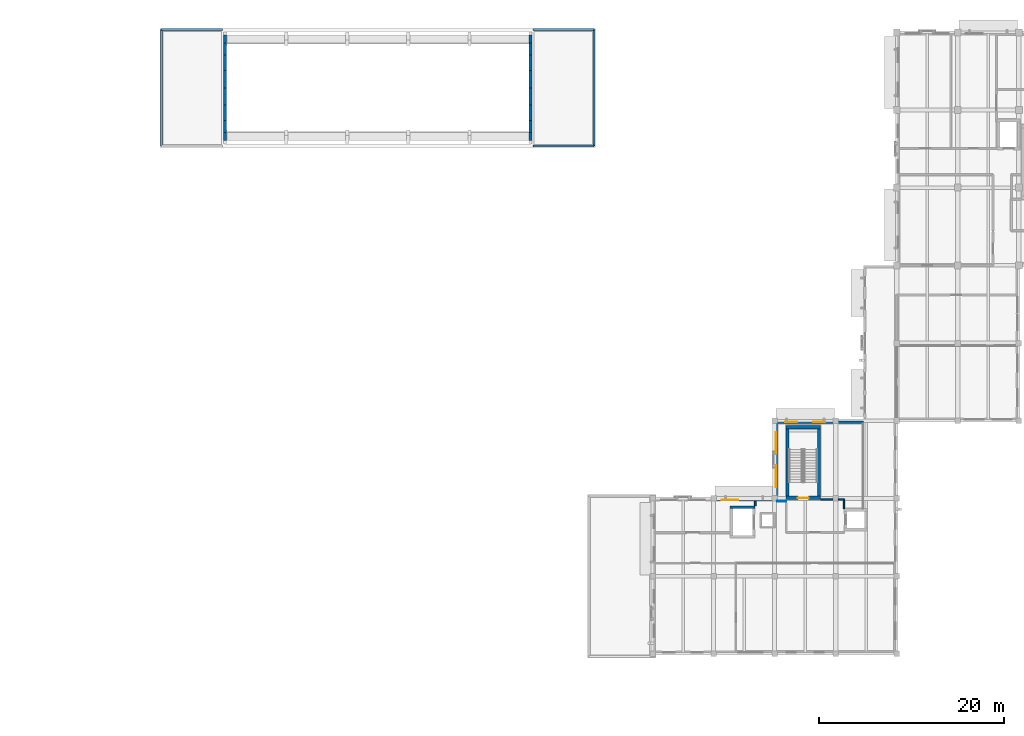
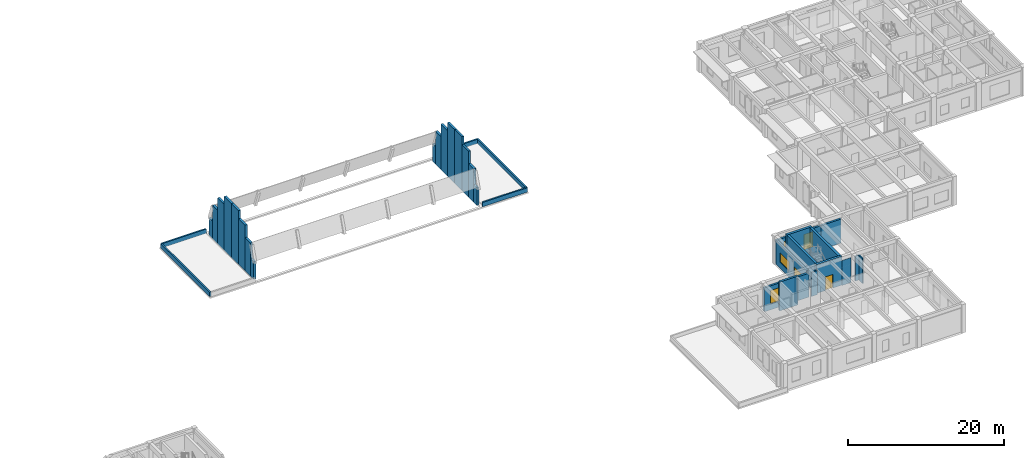
# One storey, part 10 of 25: 35 walls, 5 windows, 1 door, 6 openings.
"""IFC4 building model written with IfcOpenShell, lengths in metres."""

from ifc_helpers import new_model, si_unit, direction, frame, frame_2d, origin, place, context, subcontext, project, spatial, rectangle, extrude, material, layer, layer_set, type_object, element, fill, save


model = new_model("IFC4")

# Units and contexts
model_context = context("Model", 3, precision=1e-05, world=origin(), true_north=direction((0.0, 1.0)))
body_context = subcontext(model_context, "Body", "Model", "MODEL_VIEW")
ifc_project = project(units=[si_unit("LENGTHUNIT", "METRE"), si_unit("AREAUNIT", "SQUARE_METRE"), si_unit("VOLUMEUNIT", "CUBIC_METRE"), si_unit("PLANEANGLEUNIT", "RADIAN"), si_unit("MASSUNIT", "GRAM", prefix="KILO")], contexts=[model_context])

# Site, building, storey
site_placement = place(None, origin())
site = spatial("IfcSite", under=ifc_project, at=site_placement, CompositionType="ELEMENT")
building_placement = place(site_placement, origin())
building = spatial("IfcBuilding", under=site, at=building_placement, Name="Kolvaren Faculty of Natural Sciences", CompositionType="ELEMENT")
storey_placement = place(building_placement, frame((0.0, 0.0, 19.5)))
storey = spatial("IfcBuildingStorey", under=building, at=storey_placement, Name="L04", CompositionType="ELEMENT", Elevation=19.5)

# Wall, opening, door
ifc_material_1 = material(Name="Concrete C40/50", Category="concrete")
ifc_layer_1 = layer(ifc_material_1, 0.35009765625)
ifc_layer_set_1 = layer_set([ifc_layer_1], Name="Concrete C40/50")
wall_type_1 = type_object("IfcWallType", Name="CoreShearWall_350", PredefinedType="SHEAR", material=ifc_layer_set_1)
wall_1_placement = place(storey_placement, frame((126.824951171875, 33.875, 0.0), z_axis=(0.0, 0.0, 1.0), x_axis=(1.0, 0.0, 0.0)))
wall_1 = element("IfcWall", 1, at=wall_1_placement, inside=storey, type_object=wall_type_1, Name="L04 CORE-C3 stair shear wall S", PredefinedType="SHEAR", context=body_context, shape_type="SweptSolid", body=[
    extrude(rectangle(XDim=3.75, YDim=0.35009765625, at=frame_2d((1.875, 0.0))), origin(), (0.0, 0.0, 1.0), 4.5),
])
opening_1_placement = place(wall_1_placement, frame((1.300048828125, 0.0, 0.0)))
opening_1 = element("IfcOpeningElement", 2, at=opening_1_placement, cuts=wall_1, Name="Opening FD90", PredefinedType="OPENING", context=body_context, shape_type="SweptSolid", body=[
    extrude(rectangle(XDim=1.14990234375, YDim=2.14990234375, at=frame_2d((0.574951171875, 1.074951171875))), frame((0.0, 0.18505859375, 0.0), z_axis=(0.0, -1.0, 0.0), x_axis=(1.0, 0.0, 0.0)), (0.0, 0.0, 1.0), 0.3701171875),
])
ifc_material_2 = material(Name="Fire-rated solid-core hardwood door leaf in steel frame", Category="steel")
door_type = type_object("IfcDoorType", Name="StairCoreFireDoor_1150x2150", OperationType="NOTDEFINED", PredefinedType="DOOR", material=ifc_material_2)
door_placement = place(opening_1_placement, origin())
door = element("IfcDoor", 3, at=door_placement, inside=storey, type_object=door_type, Name="D-ST-ST-3-L04", OperationType="SINGLE_SWING_RIGHT", OverallHeight=2.14990234375, OverallWidth=1.14990234375, PredefinedType="DOOR", context=body_context, shape_type="SweptSolid", body=[
    extrude(rectangle(XDim=1.14990234375, YDim=2.14990234375, at=frame_2d((0.574951171875, 1.074951171875))), frame((0.0, 0.02490234375, 0.0), z_axis=(0.0, -1.0, 0.0), x_axis=(1.0, 0.0, 0.0)), (0.0, 0.0, 1.0), 0.050048828125),
])
fill(opening_1, door)

# Walls
wall_2_placement = place(storey_placement, frame((126.824951171875, 41.5, 0.0), z_axis=(0.0, 0.0, 1.0), x_axis=(1.0, 0.0, 0.0)))
element("IfcWall", 4, at=wall_2_placement, inside=storey, type_object=wall_type_1, Name="L04 CORE-C3 stair shear wall N", PredefinedType="SHEAR", context=body_context, shape_type="SweptSolid", body=[
    extrude(rectangle(XDim=3.75, YDim=0.35009765625, at=frame_2d((1.875, 0.0))), origin(), (0.0, 0.0, 1.0), 4.5),
])
for number, where, z_axis, x_axis, name in (
    (5, (127.0, 34.050048828125, 0.0), (0.0, 0.0, 1.0), (0.0, 1.0, 0.0), "L04 CORE-C3 stair shear wall W"),
    (6, (130.39990234375, 34.050048828125, 0.0), (0.0, 0.0, 1.0), (0.0, 1.0, 0.0), "L04 CORE-C3 stair shear wall E"),
):
    element("IfcWall", number, at=place(storey_placement, frame(where, z_axis=z_axis, x_axis=x_axis)), inside=storey, type_object=wall_type_1, Name=name, PredefinedType="SHEAR", context=body_context, shape_type="SweptSolid", body=[
        extrude(rectangle(XDim=7.27490234375, YDim=0.35009765625, at=frame_2d((3.637451171875, 0.0))), origin(), (0.0, 0.0, 1.0), 4.5),
    ])
ifc_material_3 = material(Name="Acoustic mineral-wool insulated gypsum partition")
ifc_layer_2 = layer(ifc_material_3, 0.094970703125)
ifc_layer_set_2 = layer_set([ifc_layer_2], Name="Acoustic mineral-wool insulated gypsum partition")
wall_type_2 = type_object("IfcWallType", Name="CubiclePartition_095", PredefinedType="PARTITIONING", material=ifc_layer_set_2)
wall_3_placement = place(storey_placement, frame((126.85009765625, 33.5, 0.0), z_axis=(0.0, 0.0, 1.0), x_axis=(-1.0, 0.0, 0.0)))
element("IfcWall", 7, at=wall_3_placement, inside=storey, type_object=wall_type_2, Name="L04 interior partition PW-095", PredefinedType="PARTITIONING", context=body_context, shape_type="SweptSolid", body=[
    extrude(rectangle(XDim=0.9501953125, YDim=0.094970703125, at=frame_2d((0.47509765625, 0.0))), origin(), (0.0, 0.0, 1.0), 3.735107421875),
])

# Wall, openings, windows
ifc_material_4 = material(Name="Sandstone-faced insulated cavity masonry", Category="masonry")
ifc_layer_3 = layer(ifc_material_4, 0.300048828125)
ifc_layer_set_3 = layer_set([ifc_layer_3], Name="Sandstone-faced insulated cavity masonry")
wall_type_3 = type_object("IfcWallType", Name="ExteriorCavityWall_300", PredefinedType="STANDARD", material=ifc_layer_set_3)
wall_4_placement = place(storey_placement, frame((125.75, 34.10009765625, 0.0), z_axis=(0.0, 0.0, 1.0), x_axis=(0.0, 1.0, 0.0)))
wall_4 = element("IfcWall", 8, at=wall_4_placement, inside=storey, type_object=wall_type_3, Name="L04 exterior masonry wall EW-300 (596)", PredefinedType="STANDARD", context=body_context, shape_type="SweptSolid", body=[
    extrude(rectangle(XDim=7.7998046875, YDim=0.300048828125, at=frame_2d((3.89990234375, 0.0))), origin(), (0.0, 0.0, 1.0), 3.735107421875),
])
opening_2_placement = place(wall_4_placement, frame((0.930908203125, 0.0, 0.89990234375)))
opening_2 = element("IfcOpeningElement", 9, at=opening_2_placement, cuts=wall_4, Name="Opening WIN-18", PredefinedType="OPENING", context=body_context, shape_type="SweptSolid", body=[
    extrude(rectangle(XDim=2.35009765625, YDim=1.5, at=frame_2d((1.175048828125, 0.75))), frame((0.0, 0.159912109375, 0.0), z_axis=(0.0, -1.0, 0.0), x_axis=(1.0, 0.0, 0.0)), (0.0, 0.0, 1.0), 0.320068359375),
])
opening_3_placement = place(wall_4_placement, frame((4.51904296875, 0.0, 0.89990234375)))
opening_3 = element("IfcOpeningElement", 10, at=opening_3_placement, cuts=wall_4, Name="Opening WIN-18", PredefinedType="OPENING", context=body_context, shape_type="SweptSolid", body=[
    extrude(rectangle(XDim=2.35009765625, YDim=1.5, at=frame_2d((1.175048828125, 0.75))), frame((0.0, 0.159912109375, 0.0), z_axis=(0.0, -1.0, 0.0), x_axis=(1.0, 0.0, 0.0)), (0.0, 0.0, 1.0), 0.320068359375),
])
ifc_material_5 = material(Name="Double low-E solar control insulated glazing", Category="glass")
window_type_1 = type_object("IfcWindowType", Name="AluWindow_WIN18_2350x1500", PartitioningType="SINGLE_PANEL", PredefinedType="WINDOW", material=ifc_material_5)
window_1_placement = place(opening_2_placement, origin())
window_1 = element("IfcWindow", 11, at=window_1_placement, inside=storey, type_object=window_type_1, Name="WIN-L04-0379", OverallHeight=1.5, OverallWidth=2.35009765625, PartitioningType="SINGLE_PANEL", PredefinedType="WINDOW", context=body_context, shape_type="SweptSolid", body=[
    extrude(rectangle(XDim=2.35009765625, YDim=1.5, at=frame_2d((1.175048828125, 0.75))), frame((0.0, 0.030029296875, 0.0), z_axis=(0.0, -1.0, 0.0), x_axis=(1.0, 0.0, 0.0)), (0.0, 0.0, 1.0), 0.06005859375),
])
fill(opening_2, window_1)
window_2_placement = place(opening_3_placement, origin())
window_2 = element("IfcWindow", 12, at=window_2_placement, inside=storey, type_object=window_type_1, Name="WIN-L04-0380", OverallHeight=1.5, OverallWidth=2.35009765625, PartitioningType="SINGLE_PANEL", PredefinedType="WINDOW", context=body_context, shape_type="SweptSolid", body=[
    extrude(rectangle(XDim=2.35009765625, YDim=1.5, at=frame_2d((1.175048828125, 0.75))), frame((0.0, 0.030029296875, 0.0), z_axis=(0.0, -1.0, 0.0), x_axis=(1.0, 0.0, 0.0)), (0.0, 0.0, 1.0), 0.06005859375),
])
fill(opening_3, window_2)

wall_5_placement = place(storey_placement, frame((125.60009765625, 42.050048828125, 0.0), z_axis=(0.0, 0.0, 1.0), x_axis=(1.0, 0.0, 0.0)))
wall_5 = element("IfcWall", 13, at=wall_5_placement, inside=storey, type_object=wall_type_3, Name="L04 exterior masonry wall EW-300 (597)", PredefinedType="STANDARD", context=body_context, shape_type="SweptSolid", body=[
    extrude(rectangle(XDim=6.599853515625, YDim=0.300048828125, at=frame_2d((3.2998046875, 0.0))), origin(), (0.0, 0.0, 1.0), 3.735107421875),
])
opening_4_placement = place(wall_5_placement, frame((1.132080078125, 0.0, 0.75)))
opening_4 = element("IfcOpeningElement", 14, at=opening_4_placement, cuts=wall_5, Name="Opening WIN-19", PredefinedType="OPENING", context=body_context, shape_type="SweptSolid", body=[
    extrude(rectangle(XDim=1.300048828125, YDim=2.39990234375, at=frame_2d((0.64990234375, 1.199951171875))), frame((0.0, 0.159912109375, 0.0), z_axis=(0.0, -1.0, 0.0), x_axis=(1.0, 0.0, 0.0)), (0.0, 0.0, 1.0), 0.320068359375),
])
opening_5_placement = place(wall_5_placement, frame((4.16796875, 0.0, 0.75)))
opening_5 = element("IfcOpeningElement", 15, at=opening_5_placement, cuts=wall_5, Name="Opening WIN-19", PredefinedType="OPENING", context=body_context, shape_type="SweptSolid", body=[
    extrude(rectangle(XDim=1.300048828125, YDim=2.39990234375, at=frame_2d((0.64990234375, 1.199951171875))), frame((0.0, 0.159912109375, 0.0), z_axis=(0.0, -1.0, 0.0), x_axis=(1.0, 0.0, 0.0)), (0.0, 0.0, 1.0), 0.320068359375),
])
window_type_2 = type_object("IfcWindowType", Name="AluWindow_WIN19_1300x2400", PartitioningType="SINGLE_PANEL", PredefinedType="WINDOW", material=ifc_material_5)
window_3_placement = place(opening_4_placement, origin())
window_3 = element("IfcWindow", 16, at=window_3_placement, inside=storey, type_object=window_type_2, Name="WIN-L04-0381", OverallHeight=2.39990234375, OverallWidth=1.300048828125, PartitioningType="SINGLE_PANEL", PredefinedType="WINDOW", context=body_context, shape_type="SweptSolid", body=[
    extrude(rectangle(XDim=1.300048828125, YDim=2.39990234375, at=frame_2d((0.64990234375, 1.199951171875))), frame((0.0, 0.030029296875, 0.0), z_axis=(0.0, -1.0, 0.0), x_axis=(1.0, 0.0, 0.0)), (0.0, 0.0, 1.0), 0.06005859375),
])
fill(opening_4, window_3)
window_4_placement = place(opening_5_placement, origin())
window_4 = element("IfcWindow", 17, at=window_4_placement, inside=storey, type_object=window_type_2, Name="WIN-L04-0382", OverallHeight=2.39990234375, OverallWidth=1.300048828125, PartitioningType="SINGLE_PANEL", PredefinedType="WINDOW", context=body_context, shape_type="SweptSolid", body=[
    extrude(rectangle(XDim=1.300048828125, YDim=2.39990234375, at=frame_2d((0.64990234375, 1.199951171875))), frame((0.0, 0.030029296875, 0.0), z_axis=(0.0, -1.0, 0.0), x_axis=(1.0, 0.0, 0.0)), (0.0, 0.0, 1.0), 0.06005859375),
])
fill(opening_5, window_4)

# Wall
wall_6_placement = place(storey_placement, frame((132.199951171875, 42.050048828125, 0.0), z_axis=(0.0, 0.0, 1.0), x_axis=(1.0, 0.0, 0.0)))
element("IfcWall", 18, at=wall_6_placement, inside=storey, type_object=wall_type_3, Name="L04 exterior masonry wall EW-300 (598)", PredefinedType="STANDARD", context=body_context, shape_type="SweptSolid", body=[
    extrude(rectangle(XDim=3.0, YDim=0.300048828125, at=frame_2d((1.5, 0.0))), origin(), (0.0, 0.0, 1.0), 3.735107421875),
])

# Wall, opening, window
wall_7_placement = place(storey_placement, frame((119.0, 33.64990234375, 0.0), z_axis=(0.0, 0.0, 1.0), x_axis=(1.0, 0.0, 0.0)))
wall_7 = element("IfcWall", 19, at=wall_7_placement, inside=storey, type_object=wall_type_3, Name="L04 exterior masonry wall EW-300 (631)", PredefinedType="STANDARD", context=body_context, shape_type="SweptSolid", body=[
    extrude(rectangle(XDim=6.60009765625, YDim=0.300048828125, at=frame_2d((3.300048828125, 0.0))), origin(), (0.0, 0.0, 1.0), 3.735107421875),
])
opening_6_placement = place(wall_7_placement, frame((0.882080078125, 0.0, 0.89990234375)))
opening_6 = element("IfcOpeningElement", 20, at=opening_6_placement, cuts=wall_7, Name="Opening WIN-05", PredefinedType="OPENING", context=body_context, shape_type="SweptSolid", body=[
    extrude(rectangle(XDim=1.800048828125, YDim=2.10009765625, at=frame_2d((0.89990234375, 1.050048828125))), frame((0.0, 0.159912109375, 0.0), z_axis=(0.0, -1.0, 0.0), x_axis=(1.0, 0.0, 0.0)), (0.0, 0.0, 1.0), 0.320068359375),
])
window_type_3 = type_object("IfcWindowType", Name="AluWindow_WIN05_1800x2100", PartitioningType="SINGLE_PANEL", PredefinedType="WINDOW", material=ifc_material_5)
window_5_placement = place(opening_6_placement, origin())
window_5 = element("IfcWindow", 21, at=window_5_placement, inside=storey, type_object=window_type_3, Name="WIN-L04-0434", OverallHeight=2.10009765625, OverallWidth=1.800048828125, PartitioningType="SINGLE_PANEL", PredefinedType="WINDOW", context=body_context, shape_type="SweptSolid", body=[
    extrude(rectangle(XDim=1.800048828125, YDim=2.10009765625, at=frame_2d((0.89990234375, 1.050048828125))), frame((0.0, 0.030029296875, 0.0), z_axis=(0.0, -1.0, 0.0), x_axis=(1.0, 0.0, 0.0)), (0.0, 0.0, 1.0), 0.06005859375),
])
fill(opening_6, window_5)

# Walls
ifc_layer_4 = layer(ifc_material_3, 0.18505859375)
ifc_layer_set_4 = layer_set([ifc_layer_4], Name="Acoustic mineral-wool insulated gypsum partition")
wall_type_4 = type_object("IfcWallType", Name="LabPartitionWall_185", PredefinedType="PARTITIONING", material=ifc_layer_set_4)
wall_8_placement = place(storey_placement, frame((123.5, 33.498046875, 0.0), z_axis=(0.0, 0.0, 1.0), x_axis=(0.0, -1.0, 0.0)))
element("IfcWall", 22, at=wall_8_placement, inside=storey, type_object=wall_type_4, Name="L04 interior partition PW-185", PredefinedType="PARTITIONING", context=body_context, shape_type="SweptSolid", body=[
    extrude(rectangle(XDim=0.49609375, YDim=0.18505859375, at=frame_2d((0.248046875, 0.0))), origin(), (0.0, 0.0, 1.0), 3.885009765625),
])
ifc_layer_5 = layer(ifc_material_1, 0.320068359375)
ifc_layer_set_5 = layer_set([ifc_layer_5], Name="Concrete C40/50")
wall_type_5 = type_object("IfcWallType", Name="LectureBearingWall_320", PredefinedType="SHEAR", material=ifc_layer_set_5)
wall_9_placement = place(storey_placement, frame((66.199951171875, 72.49365234375, -0.050048828125), z_axis=(0.0, 0.0, 1.0), x_axis=(0.0, 1.0, 0.0)))
element("IfcWall", 23, at=wall_9_placement, inside=storey, type_object=wall_type_5, Name="Central Sky-Lit Atrium Barrel Vault Shell W semicircular arch tympanum wall 2", PredefinedType="SHEAR", context=body_context, shape_type="SweptSolid", body=[
    extrude(rectangle(XDim=0.852294921875, YDim=0.320068359375, at=frame_2d((0.42626953125, 0.0))), origin(), (0.0, 0.0, 1.0), 2.749267578125),
])
wall_10_placement = place(storey_placement, frame((66.199951171875, 73.345947265625, -0.050048828125), z_axis=(0.0, 0.0, 1.0), x_axis=(0.0, 1.0, 0.0)))
element("IfcWall", 24, at=wall_10_placement, inside=storey, type_object=wall_type_5, Name="Central Sky-Lit Atrium Barrel Vault Shell W semicircular arch tympanum wall 3", PredefinedType="SHEAR", context=body_context, shape_type="SweptSolid", body=[
    extrude(rectangle(XDim=1.327392578125, YDim=0.320068359375, at=frame_2d((0.66357421875, 0.0))), origin(), (0.0, 0.0, 1.0), 5.20263671875),
])
wall_11_placement = place(storey_placement, frame((66.199951171875, 74.67333984375, -0.050048828125), z_axis=(0.0, 0.0, 1.0), x_axis=(0.0, 1.0, 0.0)))
element("IfcWall", 25, at=wall_11_placement, inside=storey, type_object=wall_type_5, Name="Central Sky-Lit Atrium Barrel Vault Shell W semicircular arch tympanum wall 4", PredefinedType="SHEAR", context=body_context, shape_type="SweptSolid", body=[
    extrude(rectangle(XDim=1.672607421875, YDim=0.320068359375, at=frame_2d((0.83642578125, 0.0))), origin(), (0.0, 0.0, 1.0), 7.1494140625),
])
wall_12_placement = place(storey_placement, frame((66.199951171875, 76.345947265625, -0.050048828125), z_axis=(0.0, 0.0, 1.0), x_axis=(0.0, 1.0, 0.0)))
element("IfcWall", 26, at=wall_12_placement, inside=storey, type_object=wall_type_5, Name="Central Sky-Lit Atrium Barrel Vault Shell W semicircular arch tympanum wall 5", PredefinedType="SHEAR", context=body_context, shape_type="SweptSolid", body=[
    extrude(rectangle(XDim=1.85400390625, YDim=0.320068359375, at=frame_2d((0.927001953125, 0.0))), origin(), (0.0, 0.0, 1.0), 8.3994140625),
])
wall_13_placement = place(storey_placement, frame((66.199951171875, 78.199951171875, -0.050048828125), z_axis=(0.0, 0.0, 1.0), x_axis=(0.0, 1.0, 0.0)))
element("IfcWall", 27, at=wall_13_placement, inside=storey, type_object=wall_type_5, Name="Central Sky-Lit Atrium Barrel Vault Shell W semicircular arch tympanum wall 6", PredefinedType="SHEAR", context=body_context, shape_type="SweptSolid", body=[
    extrude(rectangle(XDim=1.854248046875, YDim=0.320068359375, at=frame_2d((0.92724609375, 0.0))), origin(), (0.0, 0.0, 1.0), 8.3994140625),
])
wall_14_placement = place(storey_placement, frame((66.199951171875, 80.05419921875, -0.050048828125), z_axis=(0.0, 0.0, 1.0), x_axis=(0.0, 1.0, 0.0)))
element("IfcWall", 28, at=wall_14_placement, inside=storey, type_object=wall_type_5, Name="Central Sky-Lit Atrium Barrel Vault Shell W semicircular arch tympanum wall 7", PredefinedType="SHEAR", context=body_context, shape_type="SweptSolid", body=[
    extrude(rectangle(XDim=1.672607421875, YDim=0.320068359375, at=frame_2d((0.83642578125, 0.0))), origin(), (0.0, 0.0, 1.0), 7.1494140625),
])
wall_15_placement = place(storey_placement, frame((66.199951171875, 81.726806640625, -0.050048828125), z_axis=(0.0, 0.0, 1.0), x_axis=(0.0, 1.0, 0.0)))
element("IfcWall", 29, at=wall_15_placement, inside=storey, type_object=wall_type_5, Name="Central Sky-Lit Atrium Barrel Vault Shell W semicircular arch tympanum wall 8", PredefinedType="SHEAR", context=body_context, shape_type="SweptSolid", body=[
    extrude(rectangle(XDim=1.327392578125, YDim=0.320068359375, at=frame_2d((0.66357421875, 0.0))), origin(), (0.0, 0.0, 1.0), 5.20263671875),
])
wall_16_placement = place(storey_placement, frame((66.199951171875, 83.05419921875, -0.050048828125), z_axis=(0.0, 0.0, 1.0), x_axis=(0.0, 1.0, 0.0)))
element("IfcWall", 30, at=wall_16_placement, inside=storey, type_object=wall_type_5, Name="Central Sky-Lit Atrium Barrel Vault Shell W semicircular arch tympanum wall 9", PredefinedType="SHEAR", context=body_context, shape_type="SweptSolid", body=[
    extrude(rectangle(XDim=0.85205078125, YDim=0.320068359375, at=frame_2d((0.426025390625, 0.0))), origin(), (0.0, 0.0, 1.0), 2.749267578125),
])
wall_17_placement = place(storey_placement, frame((99.199951171875, 73.345947265625, -0.050048828125), z_axis=(0.0, 0.0, 1.0), x_axis=(0.0, -1.0, 0.0)))
element("IfcWall", 31, at=wall_17_placement, inside=storey, type_object=wall_type_5, Name="Central Sky-Lit Atrium Barrel Vault Shell E semicircular arch tympanum wall 2", PredefinedType="SHEAR", context=body_context, shape_type="SweptSolid", body=[
    extrude(rectangle(XDim=0.852294921875, YDim=0.320068359375, at=frame_2d((0.42626953125, 0.0))), origin(), (0.0, 0.0, 1.0), 2.749267578125),
])
wall_18_placement = place(storey_placement, frame((99.199951171875, 74.67333984375, -0.050048828125), z_axis=(0.0, 0.0, 1.0), x_axis=(0.0, -1.0, 0.0)))
element("IfcWall", 32, at=wall_18_placement, inside=storey, type_object=wall_type_5, Name="Central Sky-Lit Atrium Barrel Vault Shell E semicircular arch tympanum wall 3", PredefinedType="SHEAR", context=body_context, shape_type="SweptSolid", body=[
    extrude(rectangle(XDim=1.327392578125, YDim=0.320068359375, at=frame_2d((0.66357421875, 0.0))), origin(), (0.0, 0.0, 1.0), 5.20263671875),
])
wall_19_placement = place(storey_placement, frame((99.199951171875, 76.345947265625, -0.050048828125), z_axis=(0.0, 0.0, 1.0), x_axis=(0.0, -1.0, 0.0)))
element("IfcWall", 33, at=wall_19_placement, inside=storey, type_object=wall_type_5, Name="Central Sky-Lit Atrium Barrel Vault Shell E semicircular arch tympanum wall 4", PredefinedType="SHEAR", context=body_context, shape_type="SweptSolid", body=[
    extrude(rectangle(XDim=1.672607421875, YDim=0.320068359375, at=frame_2d((0.83642578125, 0.0))), origin(), (0.0, 0.0, 1.0), 7.1494140625),
])
wall_20_placement = place(storey_placement, frame((99.199951171875, 78.199951171875, -0.050048828125), z_axis=(0.0, 0.0, 1.0), x_axis=(0.0, -1.0, 0.0)))
element("IfcWall", 34, at=wall_20_placement, inside=storey, type_object=wall_type_5, Name="Central Sky-Lit Atrium Barrel Vault Shell E semicircular arch tympanum wall 5", PredefinedType="SHEAR", context=body_context, shape_type="SweptSolid", body=[
    extrude(rectangle(XDim=1.85400390625, YDim=0.320068359375, at=frame_2d((0.927001953125, 0.0))), origin(), (0.0, 0.0, 1.0), 8.3994140625),
])
wall_21_placement = place(storey_placement, frame((99.199951171875, 80.05419921875, -0.050048828125), z_axis=(0.0, 0.0, 1.0), x_axis=(0.0, -1.0, 0.0)))
element("IfcWall", 35, at=wall_21_placement, inside=storey, type_object=wall_type_5, Name="Central Sky-Lit Atrium Barrel Vault Shell E semicircular arch tympanum wall 6", PredefinedType="SHEAR", context=body_context, shape_type="SweptSolid", body=[
    extrude(rectangle(XDim=1.854248046875, YDim=0.320068359375, at=frame_2d((0.92724609375, 0.0))), origin(), (0.0, 0.0, 1.0), 8.3994140625),
])
wall_22_placement = place(storey_placement, frame((99.199951171875, 81.726806640625, -0.050048828125), z_axis=(0.0, 0.0, 1.0), x_axis=(0.0, -1.0, 0.0)))
element("IfcWall", 36, at=wall_22_placement, inside=storey, type_object=wall_type_5, Name="Central Sky-Lit Atrium Barrel Vault Shell E semicircular arch tympanum wall 7", PredefinedType="SHEAR", context=body_context, shape_type="SweptSolid", body=[
    extrude(rectangle(XDim=1.672607421875, YDim=0.320068359375, at=frame_2d((0.83642578125, 0.0))), origin(), (0.0, 0.0, 1.0), 7.1494140625),
])
wall_23_placement = place(storey_placement, frame((99.199951171875, 83.05419921875, -0.050048828125), z_axis=(0.0, 0.0, 1.0), x_axis=(0.0, -1.0, 0.0)))
element("IfcWall", 37, at=wall_23_placement, inside=storey, type_object=wall_type_5, Name="Central Sky-Lit Atrium Barrel Vault Shell E semicircular arch tympanum wall 8", PredefinedType="SHEAR", context=body_context, shape_type="SweptSolid", body=[
    extrude(rectangle(XDim=1.327392578125, YDim=0.320068359375, at=frame_2d((0.66357421875, 0.0))), origin(), (0.0, 0.0, 1.0), 5.20263671875),
])
wall_24_placement = place(storey_placement, frame((99.199951171875, 83.90625, -0.050048828125), z_axis=(0.0, 0.0, 1.0), x_axis=(0.0, -1.0, 0.0)))
element("IfcWall", 38, at=wall_24_placement, inside=storey, type_object=wall_type_5, Name="Central Sky-Lit Atrium Barrel Vault Shell E semicircular arch tympanum wall 9", PredefinedType="SHEAR", context=body_context, shape_type="SweptSolid", body=[
    extrude(rectangle(XDim=0.85205078125, YDim=0.320068359375, at=frame_2d((0.426025390625, 0.0))), origin(), (0.0, 0.0, 1.0), 2.749267578125),
])
ifc_material_6 = material(Name="Precast concrete C35/45", Category="concrete")
ifc_layer_6 = layer(ifc_material_6, 0.219970703125)
ifc_layer_set_6 = layer_set([ifc_layer_6], Name="Precast concrete C35/45")
wall_type_6 = type_object("IfcWallType", Name="ParapetUpstandWall_220", PredefinedType="PARAPET", material=ifc_layer_set_6)
wall_25_placement = place(storey_placement, frame((59.320068359375, 71.919921875, 0.0), z_axis=(0.0, 0.0, 1.0), x_axis=(0.0, 1.0, 0.0)))
element("IfcWall", 39, at=wall_25_placement, inside=storey, type_object=wall_type_6, Name="L04 architectural sandstone roof parapet 53", PredefinedType="PARAPET", context=body_context, shape_type="SweptSolid", body=[
    extrude(rectangle(XDim=12.56005859375, YDim=0.219970703125, at=frame_2d((6.280029296875, 0.0))), origin(), (0.0, 0.0, 1.0), 0.679931640625),
])
wall_26_placement = place(storey_placement, frame((59.320068359375, 84.47998046875, 0.0), z_axis=(0.0, 0.0, 1.0), x_axis=(1.0, 0.0, 0.0)))
element("IfcWall", 40, at=wall_26_placement, inside=storey, type_object=wall_type_6, Name="L04 architectural sandstone roof parapet 54", PredefinedType="PARAPET", context=body_context, shape_type="SweptSolid", body=[
    extrude(rectangle(XDim=6.579833984375, YDim=0.219970703125, at=frame_2d((3.2900390625, 0.0))), origin(), (0.0, 0.0, 1.0), 0.679931640625),
])
wall_27_placement = place(storey_placement, frame((99.5, 84.47998046875, 0.0), z_axis=(0.0, 0.0, 1.0), x_axis=(1.0, 0.0, 0.0)))
element("IfcWall", 41, at=wall_27_placement, inside=storey, type_object=wall_type_6, Name="L04 architectural sandstone roof parapet 55", PredefinedType="PARAPET", context=body_context, shape_type="SweptSolid", body=[
    extrude(rectangle(XDim=6.580078125, YDim=0.219970703125, at=frame_2d((3.2900390625, 0.0))), origin(), (0.0, 0.0, 1.0), 0.679931640625),
])
wall_28_placement = place(storey_placement, frame((106.080078125, 84.47998046875, 0.0), z_axis=(0.0, 0.0, 1.0), x_axis=(0.0, -1.0, 0.0)))
element("IfcWall", 42, at=wall_28_placement, inside=storey, type_object=wall_type_6, Name="L04 architectural sandstone roof parapet 56", PredefinedType="PARAPET", context=body_context, shape_type="SweptSolid", body=[
    extrude(rectangle(XDim=12.56005859375, YDim=0.219970703125, at=frame_2d((6.280029296875, 0.0))), origin(), (0.0, 0.0, 1.0), 0.679931640625),
])
wall_29_placement = place(storey_placement, frame((106.080078125, 71.919921875, 0.0), z_axis=(0.0, 0.0, 1.0), x_axis=(-1.0, 0.0, 0.0)))
element("IfcWall", 43, at=wall_29_placement, inside=storey, type_object=wall_type_6, Name="L04 architectural sandstone roof parapet 57", PredefinedType="PARAPET", context=body_context, shape_type="SweptSolid", body=[
    extrude(rectangle(XDim=6.580078125, YDim=0.219970703125, at=frame_2d((3.2900390625, 0.0))), origin(), (0.0, 0.0, 1.0), 0.679931640625),
])
ifc_material_7 = material(Name="Double fire-rated gypsum board on 100 mm steel stud", Category="steel")
ifc_layer_7 = layer(ifc_material_7, 0.14990234375)
ifc_layer_set_7 = layer_set([ifc_layer_7], Name="Double fire-rated gypsum board on 100 mm steel stud")
wall_type_7 = type_object("IfcWallType", Name="RatedCorridorWall_150", PredefinedType="PARTITIONING", material=ifc_layer_set_7)
wall_30_placement = place(storey_placement, frame((130.574951171875, 33.699951171875, 0.0), z_axis=(0.0, 0.0, 1.0), x_axis=(1.0, 0.0, 0.0)))
element("IfcWall", 44, at=wall_30_placement, inside=storey, type_object=wall_type_7, Name="L04 interior partition LW-150", PredefinedType="PARTITIONING", context=body_context, shape_type="SweptSolid", body=[
    extrude(rectangle(XDim=1.324951171875, YDim=0.14990234375, at=frame_2d((0.66259765625, 0.0))), origin(), (0.0, 0.0, 1.0), 3.885009765625),
])
wall_31_placement = place(storey_placement, frame((132.5, 33.699951171875, 0.0), z_axis=(0.0, 0.0, 1.0), x_axis=(1.0, 0.0, 0.0)))
element("IfcWall", 45, at=wall_31_placement, inside=storey, type_object=wall_type_7, Name="L04 interior partition LW-150", PredefinedType="PARTITIONING", context=body_context, shape_type="SweptSolid", body=[
    extrude(rectangle(XDim=0.60009765625, YDim=0.14990234375, at=frame_2d((0.300048828125, 0.0))), origin(), (0.0, 0.0, 1.0), 3.885009765625),
])
wall_32_placement = place(storey_placement, frame((133.10009765625, 33.699951171875, 0.0), z_axis=(0.0, 0.0, 1.0), x_axis=(0.0, -1.0, 0.0)))
element("IfcWall", 46, at=wall_32_placement, inside=storey, type_object=wall_type_7, Name="L04 interior partition LW-150", PredefinedType="PARTITIONING", context=body_context, shape_type="SweptSolid", body=[
    extrude(rectangle(XDim=0.998046875, YDim=0.14990234375, at=frame_2d((0.4990234375, 0.0))), origin(), (0.0, 0.0, 1.0), 3.885009765625),
])
ifc_layer_8 = layer(ifc_material_1, 0.300048828125)
ifc_layer_set_8 = layer_set([ifc_layer_8], Name="Concrete C40/50")
wall_type_8 = type_object("IfcWallType", Name="ShaftShearWall_300", PredefinedType="SHEAR", material=ifc_layer_set_8)
wall_33_placement = place(storey_placement, frame((120.800048828125, 32.85009765625, 0.0), z_axis=(0.0, 0.0, 1.0), x_axis=(1.0, 0.0, 0.0)))
element("IfcWall", 47, at=wall_33_placement, inside=storey, type_object=wall_type_8, Name="L04 lift GL-1 shaft wall N", PredefinedType="SHEAR", context=body_context, shape_type="SweptSolid", body=[
    extrude(rectangle(XDim=2.699951171875, YDim=0.300048828125, at=frame_2d((1.35009765625, 0.0))), origin(), (0.0, 0.0, 1.0), 4.5),
])

save(model, "model.ifc")
